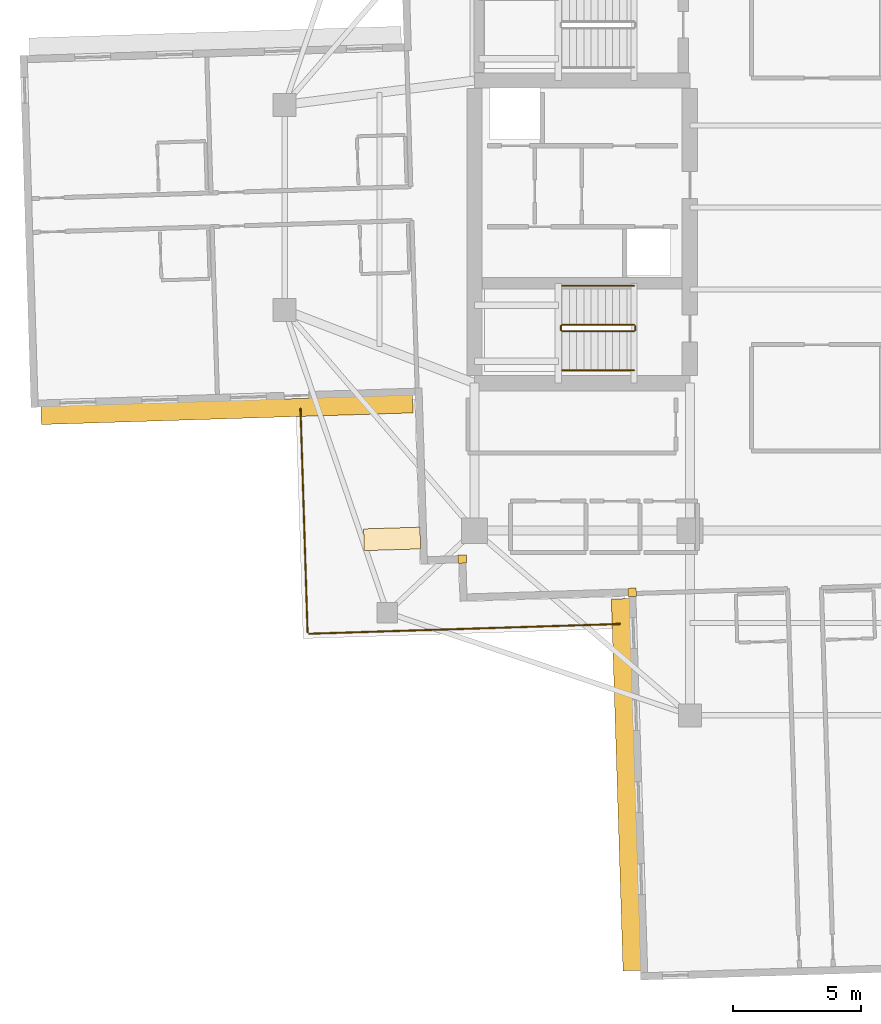
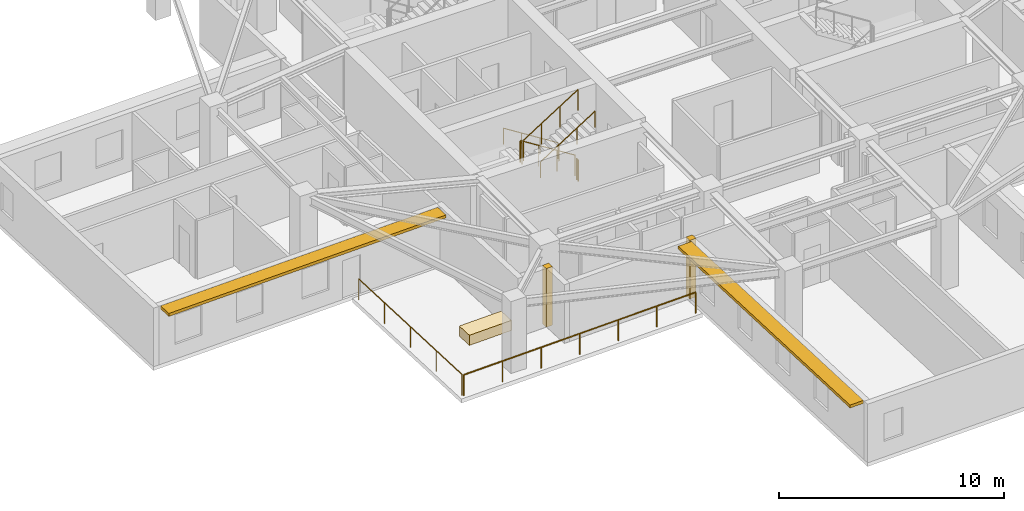
# One storey, part 9 of 12: 8 railings, 3 coverings, 2 shading devices.
"""IFC4 building model written with IfcOpenShell, lengths in metres."""

from ifc_helpers import new_model, si_unit, direction, frame, origin, origin_2d, place, context, subcontext, project, spatial, rectangle, circle, extrude, material, layer, layer_set, type_object, element, save


model = new_model("IFC4")

# Units and contexts
model_context = context("Model", 3, precision=1e-05, world=origin(), true_north=direction((0.0, 1.0)))
body_context = subcontext(model_context, "Body", "Model", "MODEL_VIEW")
ifc_project = project(units=[si_unit("LENGTHUNIT", "METRE"), si_unit("AREAUNIT", "SQUARE_METRE"), si_unit("VOLUMEUNIT", "CUBIC_METRE"), si_unit("PLANEANGLEUNIT", "RADIAN"), si_unit("MASSUNIT", "GRAM", prefix="KILO")], contexts=[model_context])

# Site, building, storey
site_placement = place(None, origin())
site = spatial("IfcSite", under=ifc_project, at=site_placement, CompositionType="ELEMENT")
building_placement = place(site_placement, origin())
building = spatial("IfcBuilding", under=site, at=building_placement, Name="Qingluan Cross Belvedere", CompositionType="ELEMENT")
storey_placement = place(building_placement, frame((0.0, 0.0, 216.89990234375)))
storey = spatial("IfcBuildingStorey", under=building, at=storey_placement, Name="L54", CompositionType="ELEMENT", Elevation=216.89990234375)

# Coverings
ifc_material_1 = material(Name="Precast concrete C45", Category="concrete")
ifc_layer_1 = layer(ifc_material_1, 0.1201171875, Name="ConcreteSpandrelCladding_120")
ifc_layer_set_1 = layer_set([ifc_layer_1], Name="Precast concrete C45")
covering_type_1 = type_object("IfcCoveringType", Name="ConcreteSpandrelCladding_120", PredefinedType="CLADDING", material=ifc_layer_set_1)
for number, where, z_axis, x_axis, name in (
    (1, (-12.875732421875, -13.711181640625, 0.0), (0.0, 0.0, 1.0), (0.999506560366, 0.031410759078, 0.0), "Corner closure L54-SW1"),
    (2, (-6.251708984375, -15.00390625, 0.0), (0.0, 0.0, 1.0), (0.999506560366, 0.031410759078, 0.0), "Corner closure L54-SW2"),
):
    element("IfcCovering", number, at=place(storey_placement, frame(where, z_axis=z_axis, x_axis=x_axis)), inside=storey, type_object=covering_type_1, Name=name, PredefinedType="CLADDING", context=body_context, shape_type="SweptSolid", body=[
        extrude(rectangle(XDim=0.320068359375, YDim=0.320068359375, at=origin_2d()), origin(), (0.0, 0.0, 1.0), 3.179931640625),
    ])

# Shading devices
ifc_material_2 = material(Name="Precast concrete C45", Category="concrete")
ifc_layer_2 = layer(ifc_material_2, 0.139892578125, Name="ConcreteSunshadeBand_700")
ifc_layer_set_2 = layer_set([ifc_layer_2], Name="Precast concrete C45")
shading_device_type = type_object("IfcShadingDeviceType", Name="ConcreteSunshadeBand_700", PredefinedType="USERDEFINED", material=ifc_layer_set_2)
for number, where, z_axis, x_axis, name in (
    (3, (-22.052978515625, -7.88671875, 3.0), (0.0, 0.0, 1.0), (0.999506645453, 0.031408051437, 0.0), "Concrete SUNSHADE L54-WB"),
    (4, (-6.486328125, -22.5048828125, 3.0), (0.0, 0.0, 1.0), (0.031408051437, -0.999506645453, 0.0), "Concrete SUNSHADE L54-SA"),
):
    element("IfcShadingDevice", number, at=place(storey_placement, frame(where, z_axis=z_axis, x_axis=x_axis)), inside=storey, type_object=shading_device_type, Name=name, ObjectType="SUNSHADE", PredefinedType="USERDEFINED", context=body_context, shape_type="SweptSolid", body=[
        extrude(rectangle(XDim=14.5, YDim=0.699951171875, at=origin_2d()), origin(), (0.0, 0.0, 1.0), 0.159912109375),
    ])

# Railings
ifc_material_3 = material(Name="Brushed stainless steel tubular handrail", Category="steel")
railing_type_1 = type_object("IfcRailingType", Name="StairPitchHandrail_900", PredefinedType="HANDRAIL", material=ifc_material_3)
railing_1_placement = place(storey_placement, frame((-6.179931640625, -3.050048828125, 0.177490234375)))
element("IfcRailing", 5, at=railing_1_placement, inside=storey, type_object=railing_type_1, Name="L54 ST1 stair handrail 1", PredefinedType="HANDRAIL", context=body_context, shape_type="SweptSolid", body=[
    extrude(circle(Radius=0.02392578125, at=origin_2d()), frame((0.0, 0.0, 0.8759765625), z_axis=(-0.844908973607, 0.0, 0.534910110503), x_axis=(0.0, -1.0, 0.0)), (0.0, 0.0, 1.0), 3.31396484375),
    extrude(circle(Radius=0.02099609375, at=origin_2d()), origin(), (0.0, 0.0, 1.0), 0.851806640625),
    extrude(circle(Radius=0.02099609375, at=origin_2d()), frame((-0.933349609375, 0.0, 0.5908203125)), (0.0, 0.0, 1.0), 0.851806640625),
    extrude(circle(Radius=0.02099609375, at=origin_2d()), frame((-1.86669921875, 0.0, 1.181884765625)), (0.0, 0.0, 1.0), 0.851806640625),
    extrude(circle(Radius=0.02099609375, at=origin_2d()), frame((-2.800048828125, 0.0, 1.772705078125)), (0.0, 0.0, 1.0), 0.851806640625),
])
railing_2_placement = place(storey_placement, frame((-8.97998046875, -6.35009765625, 2.12744140625)))
element("IfcRailing", 6, at=railing_2_placement, inside=storey, type_object=railing_type_1, Name="L54 ST1 stair handrail 2", PredefinedType="HANDRAIL", context=body_context, shape_type="SweptSolid", body=[
    extrude(circle(Radius=0.02392578125, at=origin_2d()), frame((0.0, 0.0, 0.8759765625), z_axis=(0.844908973607, 0.0, 0.534910110503), x_axis=(0.0, 1.0, 0.0)), (0.0, 0.0, 1.0), 3.31396484375),
    extrude(circle(Radius=0.02099609375, at=origin_2d()), origin(), (0.0, 0.0, 1.0), 0.851806640625),
    extrude(circle(Radius=0.02099609375, at=origin_2d()), frame((0.933349609375, 0.0, 0.5908203125)), (0.0, 0.0, 1.0), 0.851806640625),
    extrude(circle(Radius=0.02099609375, at=origin_2d()), frame((1.86669921875, 0.0, 1.181884765625)), (0.0, 0.0, 1.0), 0.851806640625),
    extrude(circle(Radius=0.02099609375, at=origin_2d()), frame((2.800048828125, 0.0, 1.772705078125)), (0.0, 0.0, 1.0), 0.851806640625),
])
ifc_material_4 = material(Name="Painted steel stair well guard", Category="steel")
railing_type_2 = type_object("IfcRailingType", Name="StairWellGuard_1150", PredefinedType="BALUSTRADE", material=ifc_material_4)
railing_3_placement = place(storey_placement, frame((-6.179931640625, -4.570068359375, 0.177490234375)))
element("IfcRailing", 7, at=railing_3_placement, inside=storey, type_object=railing_type_2, Name="L54 ST1 stair guard 1", PredefinedType="BALUSTRADE", context=body_context, shape_type="SweptSolid", body=[
    extrude(circle(Radius=0.02392578125, at=origin_2d()), frame((0.0, 0.0, 1.1259765625), z_axis=(-0.844908973607, 0.0, 0.534910110503), x_axis=(0.0, -1.0, 0.0)), (0.0, 0.0, 1.0), 3.31396484375),
    extrude(circle(Radius=0.02099609375, at=origin_2d()), origin(), (0.0, 0.0, 1.0), 1.101806640625),
    extrude(circle(Radius=0.02099609375, at=origin_2d()), frame((-0.933349609375, 0.0, 0.5908203125)), (0.0, 0.0, 1.0), 1.101806640625),
    extrude(circle(Radius=0.02099609375, at=origin_2d()), frame((-1.86669921875, 0.0, 1.181884765625)), (0.0, 0.0, 1.0), 1.101806640625),
    extrude(circle(Radius=0.02099609375, at=origin_2d()), frame((-2.800048828125, 0.0, 1.772705078125)), (0.0, 0.0, 1.0), 1.101806640625),
])
railing_4_placement = place(storey_placement, frame((-9.030029296875, -4.6201171875, 1.9501953125)))
element("IfcRailing", 8, at=railing_4_placement, inside=storey, type_object=railing_type_2, Name="L54 ST1 stair guard 2", PredefinedType="BALUSTRADE", context=body_context, shape_type="SweptSolid", body=[
    extrude(circle(Radius=0.02392578125, at=origin_2d()), frame((0.0, 0.0, 1.1259765625), z_axis=(0.0, -1.0, 0.0), x_axis=(1.0, 0.0, 0.0)), (0.0, 0.0, 1.0), 0.159912109375),
    extrude(circle(Radius=0.02099609375, at=origin_2d()), origin(), (0.0, 0.0, 1.0), 1.101806640625),
    extrude(circle(Radius=0.02099609375, at=origin_2d()), frame((0.0, -0.159912109375, 0.0)), (0.0, 0.0, 1.0), 1.101806640625),
])
railing_5_placement = place(storey_placement, frame((-8.97998046875, -4.830078125, 2.12744140625)))
element("IfcRailing", 9, at=railing_5_placement, inside=storey, type_object=railing_type_2, Name="L54 ST1 stair guard 3", PredefinedType="BALUSTRADE", context=body_context, shape_type="SweptSolid", body=[
    extrude(circle(Radius=0.02392578125, at=origin_2d()), frame((0.0, 0.0, 1.1259765625), z_axis=(0.844908973607, 0.0, 0.534910110503), x_axis=(0.0, 1.0, 0.0)), (0.0, 0.0, 1.0), 3.31396484375),
    extrude(circle(Radius=0.02099609375, at=origin_2d()), origin(), (0.0, 0.0, 1.0), 1.101806640625),
    extrude(circle(Radius=0.02099609375, at=origin_2d()), frame((0.933349609375, 0.0, 0.5908203125)), (0.0, 0.0, 1.0), 1.101806640625),
    extrude(circle(Radius=0.02099609375, at=origin_2d()), frame((1.86669921875, 0.0, 1.181884765625)), (0.0, 0.0, 1.0), 1.101806640625),
    extrude(circle(Radius=0.02099609375, at=origin_2d()), frame((2.800048828125, 0.0, 1.772705078125)), (0.0, 0.0, 1.0), 1.101806640625),
])
railing_6_placement = place(storey_placement, frame((-6.1298828125, -4.6201171875, 0.0)))
element("IfcRailing", 10, at=railing_6_placement, inside=storey, type_object=railing_type_2, Name="L54 ST1 stair guard 4", PredefinedType="BALUSTRADE", context=body_context, shape_type="SweptSolid", body=[
    extrude(circle(Radius=0.02392578125, at=origin_2d()), frame((0.0, 0.0, 1.1259765625), z_axis=(0.0, -1.0, 0.0), x_axis=(1.0, 0.0, 0.0)), (0.0, 0.0, 1.0), 0.159912109375),
    extrude(circle(Radius=0.02099609375, at=origin_2d()), origin(), (0.0, 0.0, 1.0), 1.101806640625),
    extrude(circle(Radius=0.02099609375, at=origin_2d()), frame((0.0, -0.159912109375, 0.0)), (0.0, 0.0, 1.0), 1.101806640625),
])
ifc_material_5 = material(Name="Laminated glass and stainless steel balustrade", Category="steel")
railing_type_3 = type_object("IfcRailingType", Name="TerraceGuardBalustrade_1150", PredefinedType="BALUSTRADE", material=ifc_material_5)
railing_7_placement = place(storey_placement, frame((-6.733154296875, -16.239501953125, 0.0)))
element("IfcRailing", 11, at=railing_7_placement, inside=storey, type_object=railing_type_3, Name="Terrace guard L54-1", PredefinedType="BALUSTRADE", context=body_context, shape_type="SweptSolid", body=[
    extrude(circle(Radius=0.02392578125, at=origin_2d()), frame((0.0, 0.0, 1.1259765625), z_axis=(-0.999506795162, -0.031403286853, 0.0), x_axis=(0.031403286853, -0.999506795162, 0.0)), (0.0, 0.0, 1.0), 12.1201171875),
    extrude(circle(Radius=0.02099609375, at=origin_2d()), origin(), (0.0, 0.0, 1.0), 1.101806640625),
    extrude(circle(Radius=0.02099609375, at=origin_2d()), frame((-2.01904296875, -0.0634765625, 0.0)), (0.0, 0.0, 1.0), 1.101806640625),
    extrude(circle(Radius=0.02099609375, at=origin_2d()), frame((-4.0380859375, -0.126953125, 0.0)), (0.0, 0.0, 1.0), 1.101806640625),
    extrude(circle(Radius=0.02099609375, at=origin_2d()), frame((-6.05712890625, -0.1904296875, 0.0)), (0.0, 0.0, 1.0), 1.101806640625),
    extrude(circle(Radius=0.02099609375, at=origin_2d()), frame((-8.076171875, -0.253662109375, 0.0)), (0.0, 0.0, 1.0), 1.101806640625),
    extrude(circle(Radius=0.02099609375, at=origin_2d()), frame((-10.09521484375, -0.317138671875, 0.0)), (0.0, 0.0, 1.0), 1.101806640625),
    extrude(circle(Radius=0.02099609375, at=origin_2d()), frame((-12.1142578125, -0.380615234375, 0.0)), (0.0, 0.0, 1.0), 1.101806640625),
])
railing_8_placement = place(storey_placement, frame((-18.9091796875, -16.562255859375, 0.0)))
element("IfcRailing", 12, at=railing_8_placement, inside=storey, type_object=railing_type_3, Name="Terrace guard L54-2", PredefinedType="BALUSTRADE", context=body_context, shape_type="SweptSolid", body=[
    extrude(circle(Radius=0.02392578125, at=origin_2d()), frame((0.0, 0.0, 1.1259765625), z_axis=(-0.031413061052, 0.999506488021, 0.0), x_axis=(-0.999506488021, -0.031413061052, 0.0)), (0.0, 0.0, 1.0), 8.72021484375),
    extrude(circle(Radius=0.02099609375, at=origin_2d()), origin(), (0.0, 0.0, 1.0), 1.101806640625),
    extrude(circle(Radius=0.02099609375, at=origin_2d()), frame((-0.068359375, 2.178955078125, 0.0)), (0.0, 0.0, 1.0), 1.101806640625),
    extrude(circle(Radius=0.02099609375, at=origin_2d()), frame((-0.136962890625, 4.35791015625, 0.0)), (0.0, 0.0, 1.0), 1.101806640625),
    extrude(circle(Radius=0.02099609375, at=origin_2d()), frame((-0.20556640625, 6.536865234375, 0.0)), (0.0, 0.0, 1.0), 1.101806640625),
    extrude(circle(Radius=0.02099609375, at=origin_2d()), frame((-0.27392578125, 8.7158203125, 0.0)), (0.0, 0.0, 1.0), 1.101806640625),
])

# Covering
ifc_material_6 = material(Name="Precast concrete C40", Category="concrete")
ifc_layer_3 = layer(ifc_material_6, 0.550048828125, Name="TerracePlanterBox")
ifc_layer_set_3 = layer_set([ifc_layer_3], Name="Precast concrete C40")
covering_type_2 = type_object("IfcCoveringType", Name="TerracePlanterBox", PredefinedType="USERDEFINED", material=ifc_layer_set_3)
covering_placement = place(storey_placement, frame((-15.611083984375, -12.922119140625, 0.0), z_axis=(0.0, 0.0, 1.0), x_axis=(0.999506560366, 0.031410759078, 0.0)))
element("IfcCovering", 13, at=covering_placement, inside=storey, type_object=covering_type_2, Name="Spiralling winter-garden planter L54", ObjectType="PLANTER", PredefinedType="USERDEFINED", context=body_context, shape_type="SweptSolid", body=[
    extrude(rectangle(XDim=2.199951171875, YDim=0.85009765625, at=origin_2d()), origin(), (0.0, 0.0, 1.0), 0.550048828125),
])

save(model, "model.ifc")
